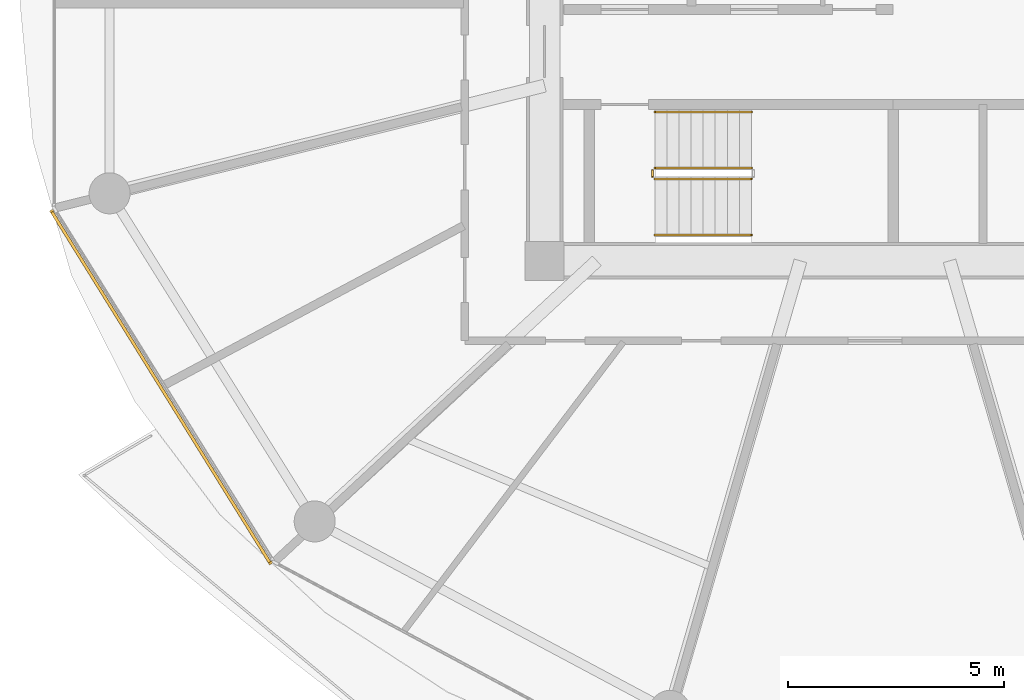
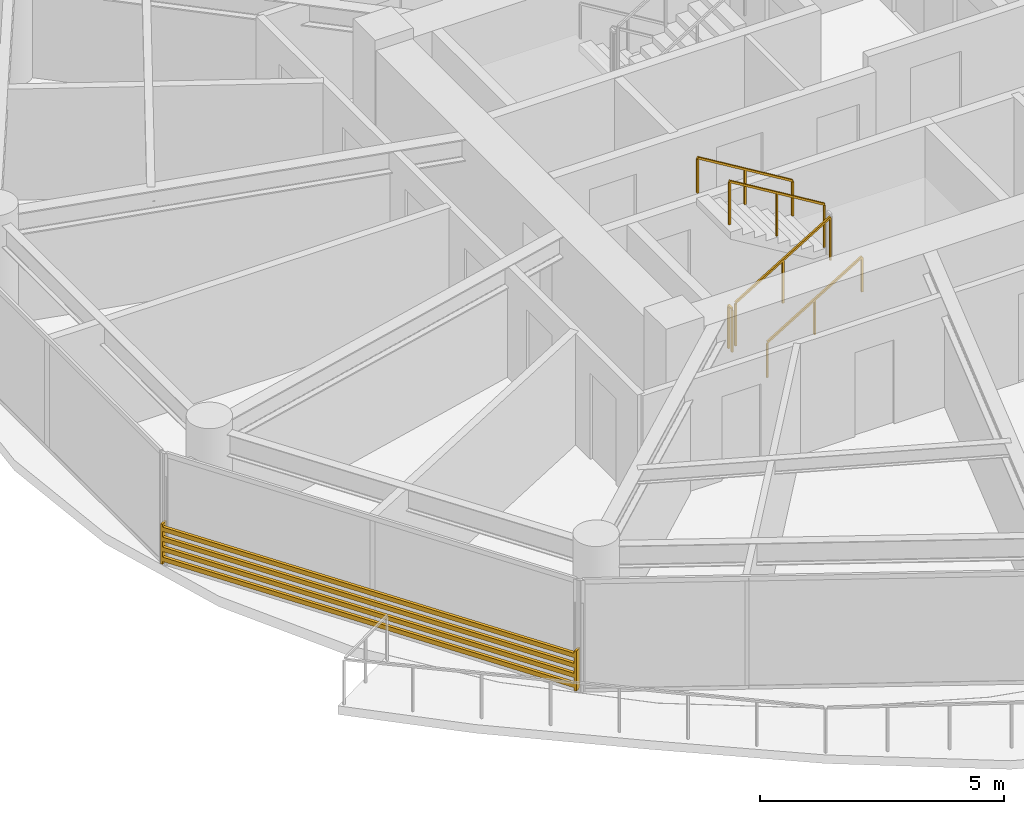
# One storey, part 21 of 26: 5 railings, 1 shading device.
"""IFC4 building model written with IfcOpenShell, lengths in metres."""

import ifcopenshell
import ifcopenshell.guid

model = None  # the IFC model being written
_history = None  # IfcOwnerHistory: only IFC2X3 demands one
_inside = {}  # id of a spatial element -> (the spatial element, [elements in it])
_under = {}  # id of a project, library or spatial element -> (it, [spatial elements below it])
_declared = {}  # id of a project -> (the project, [libraries it declares])
_typed = {}  # id of a type object -> (the type object, [elements of that type])
_made_of = {}  # id of a material, layer set ... -> (it, [elements and type objects made of it])


def new_model(schema):
    """Start an empty IFC model of exactly this schema.

    Asked for "IFC4X3", IfcOpenShell would pick the latest addendum, in which some entities
    have other attributes; the version numbers below select the first issue.
    IFC2X3 requires an IfcOwnerHistory on every rooted entity: one is made here for all.
    """
    global model, _history
    if schema == "IFC4X3":
        model = ifcopenshell.file(schema_version=(4, 3, 0, 0))
    else:
        model = ifcopenshell.file(schema=schema)
    _inside.clear()
    _under.clear()
    _declared.clear()
    _typed.clear()
    _made_of.clear()
    _history = None
    if model.schema == "IFC2X3":
        org = make("IfcOrganization", Name="unknown")
        user = make(
            "IfcPersonAndOrganization",
            ThePerson=make("IfcPerson", FamilyName="unknown"),
            TheOrganization=org,
        )
        app = make(
            "IfcApplication",
            ApplicationDeveloper=org,
            Version="unknown",
            ApplicationFullName="unknown",
            ApplicationIdentifier="unknown",
        )
        _history = make(
            "IfcOwnerHistory",
            OwningUser=user,
            OwningApplication=app,
            ChangeAction="ADDED",
            CreationDate=0,
        )
    return model


def make(cls, **values):
    """One entity of the class cls with the attributes given. An attribute that is None is left unset."""
    return model.create_entity(
        cls, **{name: value for name, value in values.items() if value is not None}
    )


def rooted(cls, **values):
    """An entity with a GlobalId (a new one), such as an element, a storey or a relation."""
    return make(cls, GlobalId=ifcopenshell.guid.new(), OwnerHistory=_history, **values)


def si_unit(unit_type, name, prefix=None):
    """IfcSIUnit, for example si_unit("LENGTHUNIT", "METRE", prefix="MILLI")."""
    return make("IfcSIUnit", UnitType=unit_type, Prefix=prefix, Name=name)


def assignment(units):
    """IfcUnitAssignment: the units of a project."""
    return None if units is None else make("IfcUnitAssignment", Units=units)


def point(xyz):
    """IfcCartesianPoint."""
    return None if xyz is None else make("IfcCartesianPoint", Coordinates=xyz)


def direction(xyz):
    """IfcDirection."""
    return None if xyz is None else make("IfcDirection", DirectionRatios=xyz)


def frame(location, z_axis=None, x_axis=None):
    """IfcAxis2Placement3D, a coordinate frame: its origin and axes. An axis left out is left unset."""
    return make(
        "IfcAxis2Placement3D",
        Location=point(location),
        Axis=direction(z_axis),
        RefDirection=direction(x_axis),
    )


def frame_2d(location, x_axis=None):
    """IfcAxis2Placement2D, a coordinate frame in the plane: its origin and x axis."""
    return make(
        "IfcAxis2Placement2D", Location=point(location), RefDirection=direction(x_axis)
    )


def origin():
    """The frame at (0, 0, 0) with its axes left unset."""
    return frame((0.0, 0.0, 0.0))


def origin_2d():
    """The frame at (0, 0) in the plane with its x axis left unset."""
    return frame_2d((0.0, 0.0))


def place(relative_to, where):
    """IfcLocalPlacement: puts the frame where relative to a parent placement (None: the world)."""
    return make(
        "IfcLocalPlacement", PlacementRelTo=relative_to, RelativePlacement=where
    )


def context(
    kind, dimensions, precision=None, world=None, true_north=None, identifier=None
):
    """IfcGeometricRepresentationContext, for example the 3D "Model" context."""
    return make(
        "IfcGeometricRepresentationContext",
        ContextIdentifier=identifier,
        ContextType=kind,
        CoordinateSpaceDimension=dimensions,
        Precision=precision,
        WorldCoordinateSystem=world,
        TrueNorth=true_north,
    )


def subcontext(parent, identifier, kind, view, scale=None):
    """IfcGeometricRepresentationSubContext, for example "Body" below "Model"."""
    return make(
        "IfcGeometricRepresentationSubContext",
        ContextIdentifier=identifier,
        ContextType=kind,
        ParentContext=parent,
        TargetScale=scale,
        TargetView=view,
    )


def project(units=None, contexts=None):
    """IfcProject with its units and contexts."""
    return rooted(
        "IfcProject",
        Name="project",
        RepresentationContexts=contexts,
        UnitsInContext=assignment(units),
    )


def spatial(cls, under=None, at=None, **own):
    """A site, building, storey or space (cls), placed at a placement, below another one or the project."""
    s = rooted(cls, ObjectPlacement=at, **own)
    if under is not None:
        _under.setdefault(under.id(), (under, []))[1].append(s)
    return s


def profile(cls, at=None, kind="AREA", **sizes):
    """A parametric profile (cls). Its sizes go by their IFC names, for example OverallWidth=200.0."""
    return make(cls, ProfileType=kind, Position=at, **sizes)


def rectangle(**sizes):
    """IfcRectangleProfileDef."""
    return profile("IfcRectangleProfileDef", **sizes)


def extrude(swept, where, along, depth):
    """IfcExtrudedAreaSolid: the profile swept, set in the frame where, extruded along a direction by depth."""
    return make(
        "IfcExtrudedAreaSolid",
        SweptArea=swept,
        Position=where,
        ExtrudedDirection=direction(along),
        Depth=depth,
    )


def shape(context_of_items, identifier, shape_type, items):
    """IfcShapeRepresentation: the items that make up one representation, for example the "Body"."""
    return make(
        "IfcShapeRepresentation",
        ContextOfItems=context_of_items,
        RepresentationIdentifier=identifier,
        RepresentationType=shape_type,
        Items=items,
    )


def source(mapping_origin, context_of_items, identifier, shape_type, items):
    """IfcRepresentationMap: a shape defined once, which mapped items show again and again."""
    return make(
        "IfcRepresentationMap",
        MappingOrigin=mapping_origin,
        MappedRepresentation=shape(context_of_items, identifier, shape_type, items),
    )


def transform(
    local_origin,
    x_axis=None,
    y_axis=None,
    z_axis=None,
    scale=None,
    scale2=None,
    scale3=None,
    uniform=True,
):
    """IfcCartesianTransformationOperator3D, or its non-uniform kind. x_axis, y_axis, z_axis: its Axis1, 2, 3."""
    if uniform:
        return make(
            "IfcCartesianTransformationOperator3D",
            Axis1=direction(x_axis),
            Axis2=direction(y_axis),
            LocalOrigin=point(local_origin),
            Scale=scale,
            Axis3=direction(z_axis),
        )
    return make(
        "IfcCartesianTransformationOperator3DnonUniform",
        Axis1=direction(x_axis),
        Axis2=direction(y_axis),
        LocalOrigin=point(local_origin),
        Scale=scale,
        Axis3=direction(z_axis),
        Scale2=scale2,
        Scale3=scale3,
    )


def mapped(mapping_source, mapping_target):
    """IfcMappedItem: shows the shape of a source again, moved by a transform."""
    return make(
        "IfcMappedItem", MappingSource=mapping_source, MappingTarget=mapping_target
    )


def material(Name=None, Category=None):
    """IfcMaterial."""
    return make("IfcMaterial", Name=Name, Category=Category)


def made_of(thing, what):
    """Note that an element or type object is made of a material, layer set ...; save() writes the relation."""
    if what is not None:
        _made_of.setdefault(what.id(), (what, []))[1].append(thing)
    return thing


def type_object(cls, material=None, **own):
    """A type object (cls), such as IfcWallType, which elements share."""
    return made_of(rooted(cls, **own), material)


def type_shapes(of_type, sources):
    """Give a type object the sources (RepresentationMaps) that its elements show as mapped items."""
    of_type.RepresentationMaps = sources


def element(
    cls,
    number,
    at=None,
    inside=None,
    cuts=None,
    type_object=None,
    material=None,
    context=None,
    identifier="Body",
    shape_type=None,
    held_by="IfcProductDefinitionShape",
    body=None,
    shapes=None,
    **own,
):
    """One element of the class cls, such as IfcWall. Its Tag is "e" and its number.

    at: its placement. inside: the storey or other place that contains it. cuts: it is an
    opening in that element (IfcRelVoidsElement). A single representation is given by context,
    identifier, shape_type and body (its items); several are given by shapes. held_by: the class
    of the entity that holds the representations. save() writes the other relations.
    """
    e = rooted(cls, Tag="e%d" % number, ObjectPlacement=at, **own)
    if body is not None:
        shapes = [shape(context, identifier, shape_type, body)]
    if shapes is not None:
        e.Representation = make(held_by, Representations=shapes)
    if inside is not None:
        _inside.setdefault(inside.id(), (inside, []))[1].append(e)
    if cuts is not None:
        rooted(
            "IfcRelVoidsElement", RelatingBuildingElement=cuts, RelatedOpeningElement=e
        )
    if type_object is not None:
        _typed.setdefault(type_object.id(), (type_object, []))[1].append(e)
    return made_of(e, material)


def aggregate(whole, parts):
    """IfcRelAggregates: a whole, such as a stair, and the parts it consists of."""
    return rooted("IfcRelAggregates", RelatingObject=whole, RelatedObjects=parts)


def save(model, path):
    """Write the relations noted so far, then the file.

    IfcRelAggregates (storeys below a building ...), IfcRelContainedInSpatialStructure (elements
    in a storey), IfcRelDefinesByType, IfcRelAssociatesMaterial and IfcRelDeclares: one each for
    every whole, place, type object, material and project.
    """
    for whole, parts in _under.values():
        aggregate(whole, parts)
    for where, things in _inside.values():
        rooted(
            "IfcRelContainedInSpatialStructure",
            RelatedElements=things,
            RelatingStructure=where,
        )
    for kind, things in _typed.values():
        rooted("IfcRelDefinesByType", RelatedObjects=things, RelatingType=kind)
    for what, things in _made_of.values():
        rooted("IfcRelAssociatesMaterial", RelatedObjects=things, RelatingMaterial=what)
    for by, libraries in _declared.values():
        rooted("IfcRelDeclares", RelatingContext=by, RelatedDefinitions=libraries)
    model.write(path)


model = new_model("IFC4")

# Units and contexts
model_context = context("Model", 3, precision=1e-05, world=origin(), true_north=direction((0.0, 1.0)))
body_context = subcontext(model_context, "Body", "Model", "MODEL_VIEW")
ifc_project = project(units=[si_unit("LENGTHUNIT", "METRE"), si_unit("AREAUNIT", "SQUARE_METRE"), si_unit("VOLUMEUNIT", "CUBIC_METRE"), si_unit("PLANEANGLEUNIT", "RADIAN"), si_unit("MASSUNIT", "GRAM", prefix="KILO")], contexts=[model_context])

# Site, building, storey
site_placement = place(None, origin())
site = spatial("IfcSite", under=ifc_project, at=site_placement, CompositionType="ELEMENT")
building_placement = place(site_placement, origin())
building = spatial("IfcBuilding", under=site, at=building_placement, Name="Norrkilde Senior Care Towers", CompositionType="ELEMENT")
storey_placement = place(building_placement, frame((0.0, 0.0, 49.050048828125)))
storey = spatial("IfcBuildingStorey", under=building, at=storey_placement, Name="L14", CompositionType="ELEMENT", Elevation=49.050048828125)

# Railings
ifc_material_1 = material(Name="Stainless Steel", Category="steel")
railing_type_1 = type_object("IfcRailingType", Name="Stair and Terrace Guardrail 1100", PredefinedType="GUARDRAIL", material=ifc_material_1)
railing_1_placement = place(storey_placement, frame((-33.10009765625, -4.050048828125, 0.16943359375)))
element("IfcRailing", 1, at=railing_1_placement, inside=storey, type_object=railing_type_1, Name="L14 ST-W2 stair guard 1", PredefinedType="GUARDRAIL", context=body_context, shape_type="SweptSolid", body=[
    extrude(rectangle(XDim=0.048095703125, YDim=0.048095703125, at=origin_2d()), frame((0.0, 0.0, 1.076171875), z_axis=(0.855553338991, 0.0, 0.51771467445), x_axis=(0.0, 1.0, 0.0)), (0.0, 0.0, 1.0), 2.6181640625),
    extrude(rectangle(XDim=0.0419921875, YDim=0.0419921875, at=origin_2d()), origin(), (0.0, 0.0, 1.0), 1.050048828125),
    extrude(rectangle(XDim=0.0419921875, YDim=0.0419921875, at=origin_2d()), frame((1.1201171875, 0.0, 0.677734375)), (0.0, 0.0, 1.0), 1.050048828125),
    extrude(rectangle(XDim=0.0419921875, YDim=0.0419921875, at=origin_2d()), frame((2.239990234375, 0.0, 1.35546875)), (0.0, 0.0, 1.0), 1.050048828125),
])
railing_2_placement = place(storey_placement, frame((-30.860107421875, -3.800048828125, 1.6943359375)))
element("IfcRailing", 2, at=railing_2_placement, inside=storey, type_object=railing_type_1, Name="L14 ST-W2 stair guard 3", PredefinedType="GUARDRAIL", context=body_context, shape_type="SweptSolid", body=[
    extrude(rectangle(XDim=0.048095703125, YDim=0.048095703125, at=origin_2d()), frame((0.0, 0.0, 1.076171875), z_axis=(-0.855512035549, 0.0, 0.517782924622), x_axis=(0.0, -1.0, 0.0)), (0.0, 0.0, 1.0), 2.618408203125),
    extrude(rectangle(XDim=0.0419921875, YDim=0.0419921875, at=origin_2d()), origin(), (0.0, 0.0, 1.0), 1.050048828125),
    extrude(rectangle(XDim=0.0419921875, YDim=0.0419921875, at=origin_2d()), frame((-1.1201171875, 0.0, 0.677734375)), (0.0, 0.0, 1.0), 1.050048828125),
    extrude(rectangle(XDim=0.0419921875, YDim=0.0419921875, at=origin_2d()), frame((-2.239990234375, 0.0, 1.355712890625)), (0.0, 0.0, 1.0), 1.050048828125),
])
railing_3_placement = place(storey_placement, frame((-33.14990234375, -4.0, 0.0)))
element("IfcRailing", 3, at=railing_3_placement, inside=storey, type_object=railing_type_1, Name="L14 ST-W2 stair guard 4", PredefinedType="GUARDRAIL", context=body_context, shape_type="SweptSolid", body=[
    extrude(rectangle(XDim=0.048095703125, YDim=0.048095703125, at=origin_2d()), frame((0.0, 0.0, 1.076171875), z_axis=(0.0, 1.0, 0.0), x_axis=(-1.0, 0.0, 0.0)), (0.0, 0.0, 1.0), 0.14990234375),
    extrude(rectangle(XDim=0.0419921875, YDim=0.0419921875, at=origin_2d()), origin(), (0.0, 0.0, 1.0), 1.050048828125),
    extrude(rectangle(XDim=0.0419921875, YDim=0.0419921875, at=origin_2d()), frame((0.0, 0.14990234375, 0.0)), (0.0, 0.0, 1.0), 1.050048828125),
])
ifc_material_2 = material(Name="Nordic Ash Timber", Category="wood")
railing_type_2 = type_object("IfcRailingType", Name="Wall and Stair Handrail 900", PredefinedType="HANDRAIL", material=ifc_material_2)
railing_4_placement = place(storey_placement, frame((-33.10009765625, -5.35009765625, 0.16943359375)))
element("IfcRailing", 4, at=railing_4_placement, inside=storey, type_object=railing_type_2, Name="L14 ST-W2 stair handrail 1", PredefinedType="HANDRAIL", context=body_context, shape_type="SweptSolid", body=[
    extrude(rectangle(XDim=0.048095703125, YDim=0.048095703125, at=origin_2d()), frame((0.0, 0.0, 0.8759765625), z_axis=(0.855553338991, 0.0, 0.51771467445), x_axis=(0.0, 1.0, 0.0)), (0.0, 0.0, 1.0), 2.6181640625),
    extrude(rectangle(XDim=0.0419921875, YDim=0.0419921875, at=origin_2d()), origin(), (0.0, 0.0, 1.0), 0.849853515625),
    extrude(rectangle(XDim=0.0419921875, YDim=0.0419921875, at=origin_2d()), frame((1.1201171875, 0.0, 0.677734375)), (0.0, 0.0, 1.0), 0.849853515625),
    extrude(rectangle(XDim=0.0419921875, YDim=0.0419921875, at=origin_2d()), frame((2.239990234375, 0.0, 1.35546875)), (0.0, 0.0, 1.0), 0.849853515625),
])
railing_5_placement = place(storey_placement, frame((-30.860107421875, -2.5, 1.6943359375)))
element("IfcRailing", 5, at=railing_5_placement, inside=storey, type_object=railing_type_2, Name="L14 ST-W2 stair handrail 2", PredefinedType="HANDRAIL", context=body_context, shape_type="SweptSolid", body=[
    extrude(rectangle(XDim=0.048095703125, YDim=0.048095703125, at=origin_2d()), frame((0.0, 0.0, 0.8759765625), z_axis=(-0.855512035549, 0.0, 0.517782924622), x_axis=(0.0, -1.0, 0.0)), (0.0, 0.0, 1.0), 2.618408203125),
    extrude(rectangle(XDim=0.0419921875, YDim=0.0419921875, at=origin_2d()), origin(), (0.0, 0.0, 1.0), 0.849853515625),
    extrude(rectangle(XDim=0.0419921875, YDim=0.0419921875, at=origin_2d()), frame((-1.1201171875, 0.0, 0.677734375)), (0.0, 0.0, 1.0), 0.849853515625),
    extrude(rectangle(XDim=0.0419921875, YDim=0.0419921875, at=origin_2d()), frame((-2.239990234375, 0.0, 1.355712890625)), (0.0, 0.0, 1.0), 0.849853515625),
])

# Shading device
ifc_material_3 = material(Name="Architectural Terracotta", Category="masonry")
shading_device_type = type_object("IfcShadingDeviceType", Name="Horizontal Terracotta Baguette Rack", PredefinedType="USERDEFINED", material=ifc_material_3)
shared_shape = source(origin(), body_context, "Body", "SweptSolid", [
    extrude(rectangle(XDim=0.070068359375, YDim=0.110107421875, at=origin_2d()), frame((0.0, 0.090087890625, 0.125), z_axis=(1.0, 0.0, 0.0), x_axis=(0.0, 1.0, 0.0)), (0.0, 0.0, 1.0), 9.64892578125),
    extrude(rectangle(XDim=0.070068359375, YDim=0.110107421875, at=origin_2d()), frame((0.0, 0.090087890625, 0.375), z_axis=(1.0, 0.0, 0.0), x_axis=(0.0, 1.0, 0.0)), (0.0, 0.0, 1.0), 9.64892578125),
    extrude(rectangle(XDim=0.070068359375, YDim=0.110107421875, at=origin_2d()), frame((0.0, 0.090087890625, 0.625), z_axis=(1.0, 0.0, 0.0), x_axis=(0.0, 1.0, 0.0)), (0.0, 0.0, 1.0), 9.64892578125),
    extrude(rectangle(XDim=0.070068359375, YDim=0.110107421875, at=origin_2d()), frame((0.0, 0.090087890625, 0.875), z_axis=(1.0, 0.0, 0.0), x_axis=(0.0, 1.0, 0.0)), (0.0, 0.0, 1.0), 9.64892578125),
    extrude(rectangle(XDim=0.050048828125, YDim=0.1552734375, at=origin_2d()), frame((0.02490234375, 0.047607421875, 0.0)), (0.0, 0.0, 1.0), 1.0),
    extrude(rectangle(XDim=0.050048828125, YDim=0.1552734375, at=origin_2d()), frame((9.6240234375, 0.047607421875, 0.0)), (0.0, 0.0, 1.0), 1.0),
])
type_shapes(shading_device_type, [shared_shape])
shading_device_placement = place(storey_placement, frame((-41.915771484375, -12.926025390625, 0.079833984375), z_axis=(0.0, 0.0, 1.0), x_axis=(-0.527908506655, 0.849299124538, 0.0)))
element("IfcShadingDevice", 6, at=shading_device_placement, inside=storey, type_object=shading_device_type, Name="L14 Drum W Terracotta Baguette Screen 06", ObjectType="BAGUETTE", PredefinedType="USERDEFINED", context=body_context, shape_type="MappedRepresentation", body=[
    mapped(shared_shape, transform((0.0, 0.0, 0.0), x_axis=(1.0, 0.0, 0.0), y_axis=(0.0, 1.0, 0.0), z_axis=(0.0, 0.0, 1.0), scale=1.0)),
])

save(model, "model.ifc")
